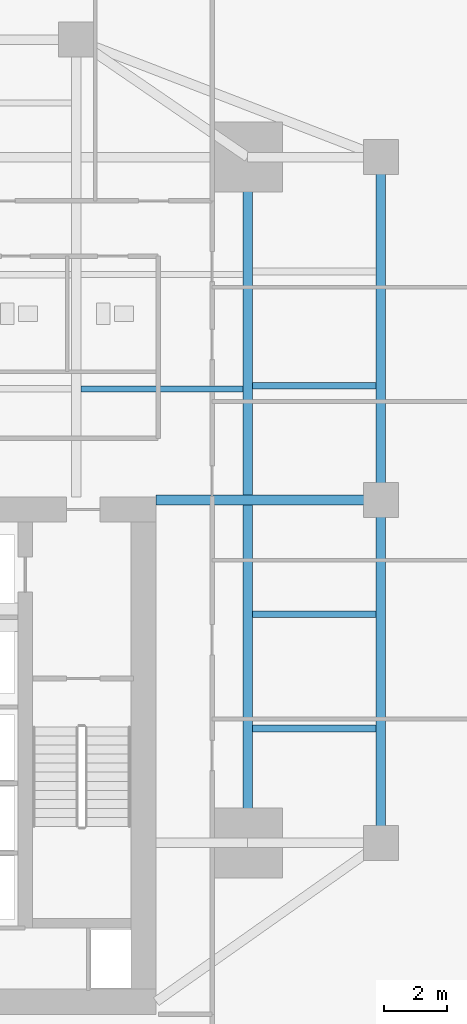
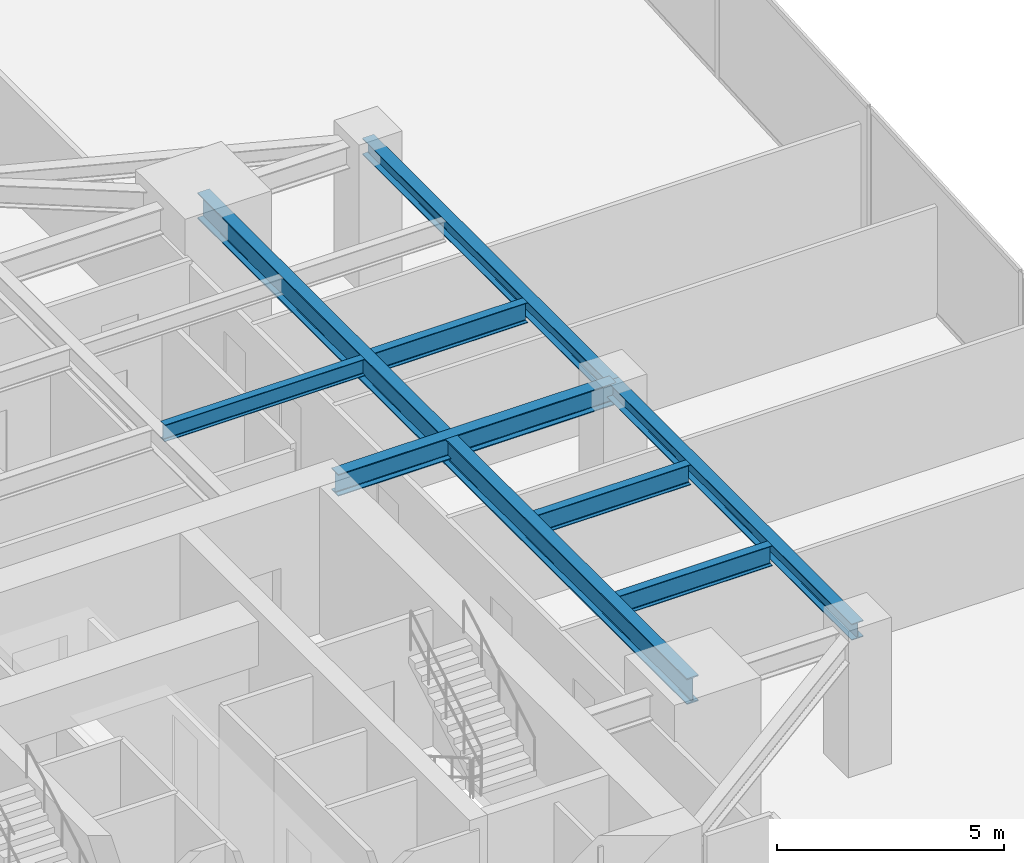
# One storey, part 15 of 30: 8 beams.
"""IFC4 building model written with IfcOpenShell, lengths in metres."""

from ifc_helpers import new_model, si_unit, direction, frame, origin, origin_2d, place, context, subcontext, project, spatial, i_section, extrude, source, transform, mapped, material, material_profile, profile_set, type_object, type_shapes, element, save


model = new_model("IFC4")

# Units and contexts
model_context = context("Model", 3, precision=1e-05, world=origin(), true_north=direction((0.0, 1.0)))
body_context = subcontext(model_context, "Body", "Model", "MODEL_VIEW")
ifc_project = project(units=[si_unit("LENGTHUNIT", "METRE"), si_unit("AREAUNIT", "SQUARE_METRE"), si_unit("VOLUMEUNIT", "CUBIC_METRE"), si_unit("PLANEANGLEUNIT", "RADIAN"), si_unit("MASSUNIT", "GRAM", prefix="KILO")], contexts=[model_context])

# Site, building, storey
site_placement = place(None, origin())
site = spatial("IfcSite", under=ifc_project, at=site_placement, CompositionType="ELEMENT")
building_placement = place(site_placement, origin())
building = spatial("IfcBuilding", under=site, at=building_placement, Name="Krantzveldt Concourse Tower", CompositionType="ELEMENT")
storey_placement = place(building_placement, frame((0.0, 0.0, 40.800048828125)))
storey = spatial("IfcBuildingStorey", under=building, at=storey_placement, Name="L09", CompositionType="ELEMENT", Elevation=40.800048828125)

# Beams
ifc_material_1 = material(Name="Steel S355J2", Category="steel")
ifc_material_profile_1 = material_profile(ifc_material_1, i_section(OverallWidth=0.300048828125, OverallDepth=0.699951171875, WebThickness=0.01708984375, FlangeThickness=0.031982421875, FilletRadius=0.027099609375, at=origin_2d()), Name="Steel S355J2", Category="steel")
ifc_profile_set_1 = profile_set([ifc_material_profile_1], Name="Steel S355J2 - HEB 700")
beam_type_1 = type_object("IfcBeamType", Name="BM-B-HEB700", PredefinedType="BEAM", material=ifc_profile_set_1)
shared_shape_1 = source(origin(), body_context, "Body", "SweptSolid", [
    extrude(i_section(OverallWidth=0.300048828125, OverallDepth=0.699951171875, WebThickness=0.01708984375, FlangeThickness=0.031982421875, FilletRadius=0.027099609375, at=origin_2d()), origin(), (0.0, 0.0, 1.0), 21.60009765625),
])
type_shapes(beam_type_1, [shared_shape_1])
beam_1_placement = place(storey_placement, frame((46.800048828125, 15.89990234375, 3.320068359375), z_axis=(0.0, 1.0, 0.0), x_axis=(-1.0, 0.0, 0.0)))
element("IfcBeam", 1, at=beam_1_placement, inside=storey, type_object=beam_type_1, Name="L09 Tower Girder BG-ME", PredefinedType="BEAM", context=body_context, shape_type="MappedRepresentation", body=[
    mapped(shared_shape_1, transform((0.0, 0.0, 0.0), x_axis=(1.0, 0.0, 0.0), y_axis=(0.0, 1.0, 0.0), z_axis=(0.0, 0.0, 1.0), scale=1.0)),
])
ifc_material_2 = material(Name="Steel S355JR", Category="steel")
ifc_material_profile_2 = material_profile(ifc_material_2, i_section(OverallWidth=0.300048828125, OverallDepth=0.590087890625, WebThickness=0.012939453125, FlangeThickness=0.02490234375, FilletRadius=0.027099609375, at=origin_2d()), Name="Steel S355JR", Category="steel")
ifc_profile_set_2 = profile_set([ifc_material_profile_2], Name="Steel S355JR - HEA 600")
beam_type_2 = type_object("IfcBeamType", Name="BM-B-HEA600", PredefinedType="BEAM", material=ifc_profile_set_2)
shared_shape_2 = source(origin(), body_context, "Body", "SweptSolid", [
    extrude(i_section(OverallWidth=0.300048828125, OverallDepth=0.590087890625, WebThickness=0.012939453125, FlangeThickness=0.02490234375, FilletRadius=0.027099609375, at=origin_2d()), origin(), (0.0, 0.0, 1.0), 7.080078125),
])
type_shapes(beam_type_2, [shared_shape_2])
beam_2_placement = place(storey_placement, frame((43.919921875, 26.699951171875, 3.375), z_axis=(1.0, 0.0, 0.0), x_axis=(0.0, 1.0, 0.0)))
element("IfcBeam", 2, at=beam_2_placement, inside=storey, type_object=beam_type_2, Name="L09 Tower Girder BG-CE2", PredefinedType="BEAM", context=body_context, shape_type="MappedRepresentation", body=[
    mapped(shared_shape_2, transform((0.0, 0.0, 0.0), x_axis=(1.0, 0.0, 0.0), y_axis=(0.0, 1.0, 0.0), z_axis=(0.0, 0.0, 1.0), scale=1.0)),
])
ifc_material_profile_3 = material_profile(ifc_material_2, i_section(OverallWidth=0.300048828125, OverallDepth=0.43994140625, WebThickness=0.011474609375, FlangeThickness=0.02099609375, FilletRadius=0.027099609375, at=origin_2d()), Name="Steel S355JR", Category="steel")
ifc_profile_set_3 = profile_set([ifc_material_profile_3], Name="Steel S355JR - HEA 450")
beam_type_3 = type_object("IfcBeamType", Name="BM-SP-HEA450", PredefinedType="SPANDREL", material=ifc_profile_set_3)
shared_shape_3 = source(origin(), body_context, "Body", "SweptSolid", [
    extrude(i_section(OverallWidth=0.300048828125, OverallDepth=0.43994140625, WebThickness=0.011474609375, FlangeThickness=0.02099609375, FilletRadius=0.027099609375, at=origin_2d()), origin(), (0.0, 0.0, 1.0), 10.800048828125),
])
type_shapes(beam_type_3, [shared_shape_3])
for number, where, z_axis, x_axis, name in (
    (3, (51.0, 37.5, 3.449951171875), (0.0, -1.0, 0.0), (1.0, 0.0, 0.0), "L09 Tower Girder SP-R06"),
    (4, (51.0, 26.699951171875, 3.449951171875), (0.0, -1.0, 0.0), (1.0, 0.0, 0.0), "L09 Tower Girder SP-R07"),
):
    element("IfcBeam", number, at=place(storey_placement, frame(where, z_axis=z_axis, x_axis=x_axis)), inside=storey, type_object=beam_type_3, Name=name, PredefinedType="SPANDREL", context=body_context, shape_type="MappedRepresentation", body=[
        mapped(shared_shape_3, transform((0.0, 0.0, 0.0), x_axis=(1.0, 0.0, 0.0), y_axis=(0.0, 1.0, 0.0), z_axis=(0.0, 0.0, 1.0), scale=1.0)),
    ])
ifc_material_profile_4 = material_profile(ifc_material_2, i_section(OverallWidth=0.18994140625, OverallDepth=0.449951171875, WebThickness=0.009521484375, FlangeThickness=0.0146484375, FilletRadius=0.02099609375, at=origin_2d()), Name="Steel S355JR", Category="steel")
ifc_profile_set_4 = profile_set([ifc_material_profile_4], Name="Steel S355JR - IPE 450")
beam_type_4 = type_object("IfcBeamType", Name="BM-J-IPE450", PredefinedType="JOIST", material=ifc_profile_set_4)
shared_shape_4 = source(origin(), body_context, "Body", "SweptSolid", [
    extrude(i_section(OverallWidth=0.18994140625, OverallDepth=0.449951171875, WebThickness=0.009521484375, FlangeThickness=0.0146484375, FilletRadius=0.02099609375, at=origin_2d()), origin(), (0.0, 0.0, 1.0), 5.099853515625),
])
type_shapes(beam_type_4, [shared_shape_4])
beam_3_placement = place(storey_placement, frame((41.550048828125, 30.199951171875, 3.445068359375), z_axis=(1.0, 0.0, 0.0), x_axis=(0.0, 1.0, 0.0)))
element("IfcBeam", 5, at=beam_3_placement, inside=storey, type_object=beam_type_4, Name="L09 Secondary Floor Joist JN-E1", PredefinedType="JOIST", context=body_context, shape_type="MappedRepresentation", body=[
    mapped(shared_shape_4, transform((0.0, 0.0, 0.0), x_axis=(1.0, 0.0, 0.0), y_axis=(0.0, 1.0, 0.0), z_axis=(0.0, 0.0, 1.0), scale=1.0)),
])
ifc_material_profile_5 = material_profile(ifc_material_2, i_section(OverallWidth=0.2099609375, OverallDepth=0.550048828125, WebThickness=0.010986328125, FlangeThickness=0.01708984375, FilletRadius=0.02392578125, at=origin_2d()), Name="Steel S355JR", Category="steel")
ifc_profile_set_5 = profile_set([ifc_material_profile_5], Name="Steel S355JR - IPE 550")
beam_type_5 = type_object("IfcBeamType", Name="BM-J-IPE550", PredefinedType="JOIST", material=ifc_profile_set_5)
shared_shape_5 = source(origin(), body_context, "Body", "SweptSolid", [
    extrude(i_section(OverallWidth=0.2099609375, OverallDepth=0.550048828125, WebThickness=0.010986328125, FlangeThickness=0.01708984375, FilletRadius=0.02392578125, at=origin_2d()), origin(), (0.0, 0.0, 1.0), 3.900146484375),
])
type_shapes(beam_type_5, [shared_shape_5])
for number, where, z_axis, x_axis, name in (
    (6, (46.949951171875, 19.5, 3.39501953125), (1.0, 0.0, 0.0), (0.0, 1.0, 0.0), "L09 Secondary Floor Joist JE-1"),
    (7, (46.949951171875, 23.10009765625, 3.39501953125), (1.0, 0.0, 0.0), (0.0, 1.0, 0.0), "L09 Secondary Floor Joist JE-2"),
    (8, (46.949951171875, 30.300048828125, 3.39501953125), (1.0, 0.0, 0.0), (0.0, 1.0, 0.0), "L09 Secondary Floor Joist JE-3"),
):
    element("IfcBeam", number, at=place(storey_placement, frame(where, z_axis=z_axis, x_axis=x_axis)), inside=storey, type_object=beam_type_5, Name=name, PredefinedType="JOIST", context=body_context, shape_type="MappedRepresentation", body=[
        mapped(shared_shape_5, transform((0.0, 0.0, 0.0), x_axis=(1.0, 0.0, 0.0), y_axis=(0.0, 1.0, 0.0), z_axis=(0.0, 0.0, 1.0), scale=1.0)),
    ])

save(model, "model.ifc")
